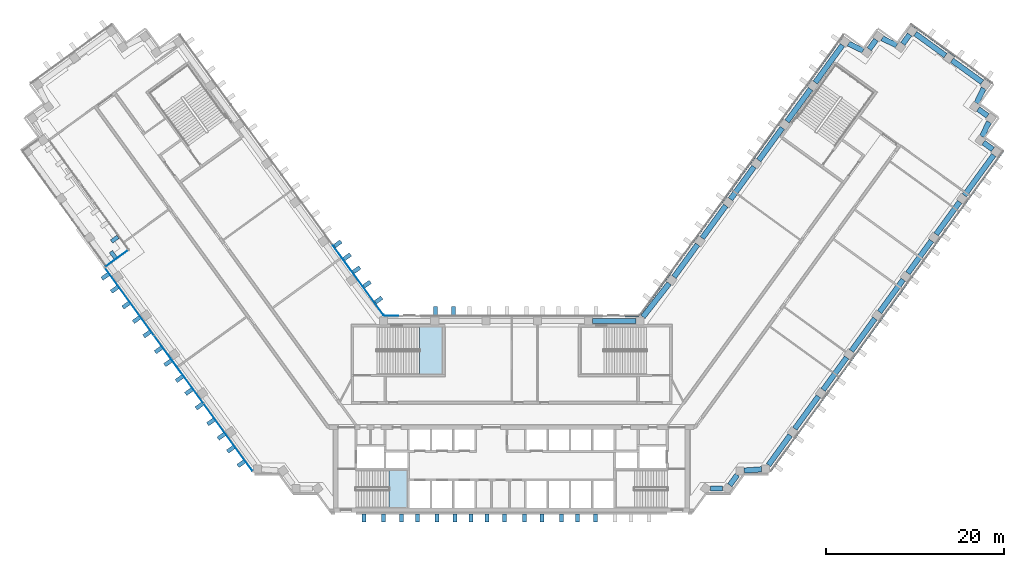
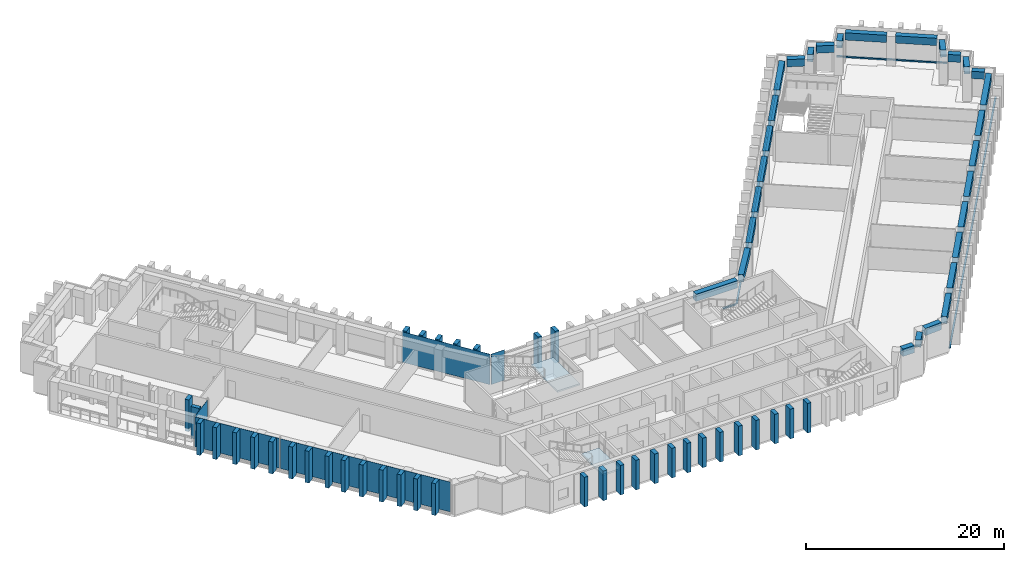
"""IFC4 building model written with IfcOpenShell, lengths in metres."""

import ifcopenshell
import ifcopenshell.guid

model = None  # the IFC model being written
_history = None  # IfcOwnerHistory: only IFC2X3 demands one
_inside = {}  # id of a spatial element -> (the spatial element, [elements in it])
_under = {}  # id of a project, library or spatial element -> (it, [spatial elements below it])
_declared = {}  # id of a project -> (the project, [libraries it declares])
_typed = {}  # id of a type object -> (the type object, [elements of that type])
_made_of = {}  # id of a material, layer set ... -> (it, [elements and type objects made of it])


def new_model(schema):
    """Start an empty IFC model of exactly this schema.

    Asked for "IFC4X3", IfcOpenShell would pick the latest addendum, in which some entities
    have other attributes; the version numbers below select the first issue.
    IFC2X3 requires an IfcOwnerHistory on every rooted entity: one is made here for all.
    """
    global model, _history
    if schema == "IFC4X3":
        model = ifcopenshell.file(schema_version=(4, 3, 0, 0))
    else:
        model = ifcopenshell.file(schema=schema)
    _inside.clear()
    _under.clear()
    _declared.clear()
    _typed.clear()
    _made_of.clear()
    _history = None
    if model.schema == "IFC2X3":
        org = make("IfcOrganization", Name="unknown")
        user = make(
            "IfcPersonAndOrganization",
            ThePerson=make("IfcPerson", FamilyName="unknown"),
            TheOrganization=org,
        )
        app = make(
            "IfcApplication",
            ApplicationDeveloper=org,
            Version="unknown",
            ApplicationFullName="unknown",
            ApplicationIdentifier="unknown",
        )
        _history = make(
            "IfcOwnerHistory",
            OwningUser=user,
            OwningApplication=app,
            ChangeAction="ADDED",
            CreationDate=0,
        )
    return model


def make(cls, **values):
    """One entity of the class cls with the attributes given. An attribute that is None is left unset."""
    return model.create_entity(
        cls, **{name: value for name, value in values.items() if value is not None}
    )


def rooted(cls, **values):
    """An entity with a GlobalId (a new one), such as an element, a storey or a relation."""
    return make(cls, GlobalId=ifcopenshell.guid.new(), OwnerHistory=_history, **values)


def si_unit(unit_type, name, prefix=None):
    """IfcSIUnit, for example si_unit("LENGTHUNIT", "METRE", prefix="MILLI")."""
    return make("IfcSIUnit", UnitType=unit_type, Prefix=prefix, Name=name)


def assignment(units):
    """IfcUnitAssignment: the units of a project."""
    return None if units is None else make("IfcUnitAssignment", Units=units)


def point(xyz):
    """IfcCartesianPoint."""
    return None if xyz is None else make("IfcCartesianPoint", Coordinates=xyz)


def direction(xyz):
    """IfcDirection."""
    return None if xyz is None else make("IfcDirection", DirectionRatios=xyz)


def frame(location, z_axis=None, x_axis=None):
    """IfcAxis2Placement3D, a coordinate frame: its origin and axes. An axis left out is left unset."""
    return make(
        "IfcAxis2Placement3D",
        Location=point(location),
        Axis=direction(z_axis),
        RefDirection=direction(x_axis),
    )


def frame_2d(location, x_axis=None):
    """IfcAxis2Placement2D, a coordinate frame in the plane: its origin and x axis."""
    return make(
        "IfcAxis2Placement2D", Location=point(location), RefDirection=direction(x_axis)
    )


def origin():
    """The frame at (0, 0, 0) with its axes left unset."""
    return frame((0.0, 0.0, 0.0))


def origin_2d():
    """The frame at (0, 0) in the plane with its x axis left unset."""
    return frame_2d((0.0, 0.0))


def place(relative_to, where):
    """IfcLocalPlacement: puts the frame where relative to a parent placement (None: the world)."""
    return make(
        "IfcLocalPlacement", PlacementRelTo=relative_to, RelativePlacement=where
    )


def context(
    kind, dimensions, precision=None, world=None, true_north=None, identifier=None
):
    """IfcGeometricRepresentationContext, for example the 3D "Model" context."""
    return make(
        "IfcGeometricRepresentationContext",
        ContextIdentifier=identifier,
        ContextType=kind,
        CoordinateSpaceDimension=dimensions,
        Precision=precision,
        WorldCoordinateSystem=world,
        TrueNorth=true_north,
    )


def subcontext(parent, identifier, kind, view, scale=None):
    """IfcGeometricRepresentationSubContext, for example "Body" below "Model"."""
    return make(
        "IfcGeometricRepresentationSubContext",
        ContextIdentifier=identifier,
        ContextType=kind,
        ParentContext=parent,
        TargetScale=scale,
        TargetView=view,
    )


def project(units=None, contexts=None):
    """IfcProject with its units and contexts."""
    return rooted(
        "IfcProject",
        Name="project",
        RepresentationContexts=contexts,
        UnitsInContext=assignment(units),
    )


def spatial(cls, under=None, at=None, **own):
    """A site, building, storey or space (cls), placed at a placement, below another one or the project."""
    s = rooted(cls, ObjectPlacement=at, **own)
    if under is not None:
        _under.setdefault(under.id(), (under, []))[1].append(s)
    return s


def polyline(points):
    """IfcPolyline through the points."""
    return make("IfcPolyline", Points=[point(p) for p in points])


def profile(cls, at=None, kind="AREA", **sizes):
    """A parametric profile (cls). Its sizes go by their IFC names, for example OverallWidth=200.0."""
    return make(cls, ProfileType=kind, Position=at, **sizes)


def rectangle(**sizes):
    """IfcRectangleProfileDef."""
    return profile("IfcRectangleProfileDef", **sizes)


def outline(outer, holes=None, kind="AREA"):
    """IfcArbitraryClosedProfileDef: a profile drawn as a closed curve; with holes, ...WithVoids."""
    if holes is None:
        return make("IfcArbitraryClosedProfileDef", ProfileType=kind, OuterCurve=outer)
    return make(
        "IfcArbitraryProfileDefWithVoids",
        ProfileType=kind,
        OuterCurve=outer,
        InnerCurves=holes,
    )


def extrude(swept, where, along, depth):
    """IfcExtrudedAreaSolid: the profile swept, set in the frame where, extruded along a direction by depth."""
    return make(
        "IfcExtrudedAreaSolid",
        SweptArea=swept,
        Position=where,
        ExtrudedDirection=direction(along),
        Depth=depth,
    )


def shape(context_of_items, identifier, shape_type, items):
    """IfcShapeRepresentation: the items that make up one representation, for example the "Body"."""
    return make(
        "IfcShapeRepresentation",
        ContextOfItems=context_of_items,
        RepresentationIdentifier=identifier,
        RepresentationType=shape_type,
        Items=items,
    )


def material(Name=None, Category=None):
    """IfcMaterial."""
    return make("IfcMaterial", Name=Name, Category=Category)


def layer(
    of_material, thickness, ventilated=None, Name=None, Category=None, Priority=None
):
    """IfcMaterialLayer: one layer of a wall or slab, of a material (None: an air gap)."""
    return make(
        "IfcMaterialLayer",
        Material=of_material,
        LayerThickness=thickness,
        IsVentilated=ventilated,
        Name=Name,
        Category=Category,
        Priority=Priority,
    )


def layer_set(layers, Name=None):
    """IfcMaterialLayerSet."""
    return make("IfcMaterialLayerSet", MaterialLayers=layers, LayerSetName=Name)


def material_profile(
    of_material, cross_section, Name=None, Category=None, Priority=None
):
    """IfcMaterialProfile: a cross section and its material."""
    return make(
        "IfcMaterialProfile",
        Name=Name,
        Material=of_material,
        Profile=cross_section,
        Priority=Priority,
        Category=Category,
    )


def profile_set(profiles, Name=None, composite=None):
    """IfcMaterialProfileSet."""
    return make(
        "IfcMaterialProfileSet",
        Name=Name,
        MaterialProfiles=profiles,
        CompositeProfile=composite,
    )


def made_of(thing, what):
    """Note that an element or type object is made of a material, layer set ...; save() writes the relation."""
    if what is not None:
        _made_of.setdefault(what.id(), (what, []))[1].append(thing)
    return thing


def type_object(cls, material=None, **own):
    """A type object (cls), such as IfcWallType, which elements share."""
    return made_of(rooted(cls, **own), material)


def element(
    cls,
    number,
    at=None,
    inside=None,
    cuts=None,
    type_object=None,
    material=None,
    context=None,
    identifier="Body",
    shape_type=None,
    held_by="IfcProductDefinitionShape",
    body=None,
    shapes=None,
    **own,
):
    """One element of the class cls, such as IfcWall. Its Tag is "e" and its number.

    at: its placement. inside: the storey or other place that contains it. cuts: it is an
    opening in that element (IfcRelVoidsElement). A single representation is given by context,
    identifier, shape_type and body (its items); several are given by shapes. held_by: the class
    of the entity that holds the representations. save() writes the other relations.
    """
    e = rooted(cls, Tag="e%d" % number, ObjectPlacement=at, **own)
    if body is not None:
        shapes = [shape(context, identifier, shape_type, body)]
    if shapes is not None:
        e.Representation = make(held_by, Representations=shapes)
    if inside is not None:
        _inside.setdefault(inside.id(), (inside, []))[1].append(e)
    if cuts is not None:
        rooted(
            "IfcRelVoidsElement", RelatingBuildingElement=cuts, RelatedOpeningElement=e
        )
    if type_object is not None:
        _typed.setdefault(type_object.id(), (type_object, []))[1].append(e)
    return made_of(e, material)


def aggregate(whole, parts):
    """IfcRelAggregates: a whole, such as a stair, and the parts it consists of."""
    return rooted("IfcRelAggregates", RelatingObject=whole, RelatedObjects=parts)


def save(model, path):
    """Write the relations noted so far, then the file.

    IfcRelAggregates (storeys below a building ...), IfcRelContainedInSpatialStructure (elements
    in a storey), IfcRelDefinesByType, IfcRelAssociatesMaterial and IfcRelDeclares: one each for
    every whole, place, type object, material and project.
    """
    for whole, parts in _under.values():
        aggregate(whole, parts)
    for where, things in _inside.values():
        rooted(
            "IfcRelContainedInSpatialStructure",
            RelatedElements=things,
            RelatingStructure=where,
        )
    for kind, things in _typed.values():
        rooted("IfcRelDefinesByType", RelatedObjects=things, RelatingType=kind)
    for what, things in _made_of.values():
        rooted("IfcRelAssociatesMaterial", RelatedObjects=things, RelatingMaterial=what)
    for by, libraries in _declared.values():
        rooted("IfcRelDeclares", RelatingContext=by, RelatedDefinitions=libraries)
    model.write(path)


model = new_model("IFC4")

# Units and contexts
model_context = context("Model", 3, precision=1e-05, world=origin(), true_north=direction((0.0, 1.0)))
body_context = subcontext(model_context, "Body", "Model", "MODEL_VIEW")
ifc_project = project(units=[si_unit("LENGTHUNIT", "METRE"), si_unit("AREAUNIT", "SQUARE_METRE"), si_unit("VOLUMEUNIT", "CUBIC_METRE"), si_unit("PLANEANGLEUNIT", "RADIAN"), si_unit("MASSUNIT", "GRAM", prefix="KILO")], contexts=[model_context])

# Site, building, storey
site_placement = place(None, origin())
site = spatial("IfcSite", under=ifc_project, at=site_placement, CompositionType="ELEMENT")
building_placement = place(site_placement, origin())
building = spatial("IfcBuilding", under=site, at=building_placement, Name="Quipu Civic Tower", CompositionType="ELEMENT")
storey_1_placement = place(building_placement, frame((0.0, 0.0, 39.0)))
storey_1 = spatial("IfcBuildingStorey", under=building, at=storey_1_placement, Name="L08", CompositionType="ELEMENT", Elevation=39.0)

# Beams
ifc_material_1 = material(Name="Concrete C50/60", Category="concrete")
ifc_material_profile_1 = material_profile(ifc_material_1, rectangle(XDim=0.60009765625, YDim=0.89990234375, at=origin_2d()), Name="RC600x900")
ifc_profile_set_1 = profile_set([ifc_material_profile_1], Name="Concrete C50/60")
beam_type = type_object("IfcBeamType", Name="Spandrel beam RC 600x900 C50/60", PredefinedType="SPANDREL", material=ifc_profile_set_1)
beam_1_placement = place(storey_1_placement, frame((22.34814453125, -8.31494140625, 3.199951171875), z_axis=(1.0, 0.0, 0.0), x_axis=(0.0, 1.0, 0.0)))
element("IfcBeam", 1, at=beam_1_placement, inside=storey_1, type_object=beam_type, Name="Spandrel beam L08 J-Eo.1 to J-Eo.2", PredefinedType="SPANDREL", context=body_context, shape_type="SweptSolid", body=[
    extrude(rectangle(XDim=0.60009765625, YDim=0.89990234375, at=origin_2d()), origin(), (0.0, 0.0, 1.0), 1.33056640625),
])
beam_2_placement = place(storey_1_placement, frame((24.499755859375, -7.951171875, 3.199951171875), z_axis=(0.588433824377, 0.808545381738, 0.0), x_axis=(-0.808545381738, 0.588433824377, 0.0)))
element("IfcBeam", 2, at=beam_2_placement, inside=storey_1, type_object=beam_type, Name="Spandrel beam L08 J-Eo.2 to J-Eo.3", PredefinedType="SPANDREL", context=body_context, shape_type="SweptSolid", body=[
    extrude(rectangle(XDim=0.60009765625, YDim=0.89990234375, at=origin_2d()), origin(), (0.0, 0.0, 1.0), 1.439697265625),
])
beam_3_placement = place(storey_1_placement, frame((26.12451171875, -6.304443359375, 3.199951171875), z_axis=(0.997365981169, 0.072533437859, 0.0), x_axis=(-0.072533437859, 0.997365981169, 0.0)))
element("IfcBeam", 3, at=beam_3_placement, inside=storey_1, type_object=beam_type, Name="Spandrel beam L08 J-Eo.3 to J-Eo.4", PredefinedType="SPANDREL", context=body_context, shape_type="SweptSolid", body=[
    extrude(rectangle(XDim=0.60009765625, YDim=0.89990234375, at=origin_2d()), origin(), (0.0, 0.0, 1.0), 1.95556640625),
])
beam_4_placement = place(storey_1_placement, frame((28.85205078125, -5.679931640625, 3.199951171875), z_axis=(0.587750565781, 0.809042194464, 0.0), x_axis=(-0.809042194464, 0.587750565781, 0.0)))
element("IfcBeam", 4, at=beam_4_placement, inside=storey_1, type_object=beam_type, Name="Spandrel beam L08 J-Eo.4 to E-OUT-01", PredefinedType="SPANDREL", context=body_context, shape_type="SweptSolid", body=[
    extrude(rectangle(XDim=0.60009765625, YDim=0.89990234375, at=origin_2d()), origin(), (0.0, 0.0, 1.0), 4.13720703125),
])
beam_5_placement = place(storey_1_placement, frame((31.812744140625, -1.604736328125, 3.199951171875), z_axis=(0.587778073121, 0.809022210299, 0.0), x_axis=(-0.809022210299, 0.587778073121, 0.0)))
element("IfcBeam", 5, at=beam_5_placement, inside=storey_1, type_object=beam_type, Name="Spandrel beam L08 E-OUT-01 to E-OUT-02", PredefinedType="SPANDREL", context=body_context, shape_type="SweptSolid", body=[
    extrude(rectangle(XDim=0.60009765625, YDim=0.89990234375, at=origin_2d()), origin(), (0.0, 0.0, 1.0), 4.5),
])
beam_6_placement = place(storey_1_placement, frame((34.98681640625, 2.76416015625, 3.199951171875), z_axis=(0.587803872688, 0.809003465539, 0.0), x_axis=(-0.809003465539, 0.587803872688, 0.0)))
element("IfcBeam", 6, at=beam_6_placement, inside=storey_1, type_object=beam_type, Name="Spandrel beam L08 E-OUT-02 to E-OUT-03", PredefinedType="SPANDREL", context=body_context, shape_type="SweptSolid", body=[
    extrude(rectangle(XDim=0.60009765625, YDim=0.89990234375, at=origin_2d()), origin(), (0.0, 0.0, 1.0), 4.499755859375),
])
for number, where, z_axis, x_axis, name in (
    (7, (38.160888671875, 7.1328125, 3.199951171875), (0.587778073121, 0.809022210299, 0.0), (-0.809022210299, 0.587778073121, 0.0), "Spandrel beam L08 E-OUT-03 to E-OUT-04"),
    (8, (41.3349609375, 11.50146484375, 3.199951171875), (0.587778073121, 0.809022210299, 0.0), (-0.809022210299, 0.587778073121, 0.0), "Spandrel beam L08 E-OUT-04 to E-OUT-05"),
):
    element("IfcBeam", number, at=place(storey_1_placement, frame(where, z_axis=z_axis, x_axis=x_axis)), inside=storey_1, type_object=beam_type, Name=name, PredefinedType="SPANDREL", context=body_context, shape_type="SweptSolid", body=[
        extrude(rectangle(XDim=0.60009765625, YDim=0.89990234375, at=origin_2d()), origin(), (0.0, 0.0, 1.0), 4.5),
    ])
beam_7_placement = place(storey_1_placement, frame((44.5087890625, 15.870361328125, 3.199951171875), z_axis=(0.587803872688, 0.809003465539, 0.0), x_axis=(-0.809003465539, 0.587803872688, 0.0)))
element("IfcBeam", 9, at=beam_7_placement, inside=storey_1, type_object=beam_type, Name="Spandrel beam L08 E-OUT-05 to E-OUT-06", PredefinedType="SPANDREL", context=body_context, shape_type="SweptSolid", body=[
    extrude(rectangle(XDim=0.60009765625, YDim=0.89990234375, at=origin_2d()), origin(), (0.0, 0.0, 1.0), 4.499755859375),
])
beam_8_placement = place(storey_1_placement, frame((47.682861328125, 20.23876953125, 3.199951171875), z_axis=(0.587778073121, 0.809022210299, 0.0), x_axis=(-0.809022210299, 0.587778073121, 0.0)))
element("IfcBeam", 10, at=beam_8_placement, inside=storey_1, type_object=beam_type, Name="Spandrel beam L08 E-OUT-06 to E-OUT-07", PredefinedType="SPANDREL", context=body_context, shape_type="SweptSolid", body=[
    extrude(rectangle(XDim=0.60009765625, YDim=0.89990234375, at=origin_2d()), origin(), (0.0, 0.0, 1.0), 4.5),
])
beam_9_placement = place(storey_1_placement, frame((50.85693359375, 24.607666015625, 3.199951171875), z_axis=(0.587772657145, 0.809026145135, 0.0), x_axis=(-0.809026145135, 0.587772657145, 0.0)))
element("IfcBeam", 11, at=beam_9_placement, inside=storey_1, type_object=beam_type, Name="Spandrel beam L08 E-OUT-07 to T-Eo.0-E50", PredefinedType="SPANDREL", context=body_context, shape_type="SweptSolid", body=[
    extrude(rectangle(XDim=0.60009765625, YDim=0.89990234375, at=origin_2d()), origin(), (0.0, 0.0, 1.0), 5.603271484375),
])
beam_10_placement = place(storey_1_placement, frame((54.051025390625, 29.769775390625, 3.199951171875), z_axis=(-0.808549242423, 0.588428519514, 0.0), x_axis=(-0.588428519514, -0.808549242423, 0.0)))
element("IfcBeam", 12, at=beam_10_placement, inside=storey_1, type_object=beam_type, Name="Spandrel beam L08 T-Eo.0-E50 to T-Eo.1-E50", PredefinedType="SPANDREL", context=body_context, shape_type="SweptSolid", body=[
    extrude(rectangle(XDim=0.60009765625, YDim=0.89990234375, at=origin_2d()), origin(), (0.0, 0.0, 1.0), 1.2998046875),
])
beam_11_placement = place(storey_1_placement, frame((52.83349609375, 31.21240234375, 3.199951171875), z_axis=(0.431446050156, 0.902138739776, 0.0), x_axis=(-0.902138739776, 0.431446050156, 0.0)))
element("IfcBeam", 13, at=beam_11_placement, inside=storey_1, type_object=beam_type, Name="Spandrel beam L08 T-Eo.1-E50 to T-Eo.2-E50", PredefinedType="SPANDREL", context=body_context, shape_type="SweptSolid", body=[
    extrude(rectangle(XDim=0.60009765625, YDim=0.89990234375, at=origin_2d()), origin(), (0.0, 0.0, 1.0), 1.828857421875),
])
beam_12_placement = place(storey_1_placement, frame((53.4560546875, 33.539794921875, 3.199951171875), z_axis=(-0.808509099783, 0.588483674853, 0.0), x_axis=(-0.588483674853, -0.808509099783, 0.0)))
element("IfcBeam", 14, at=beam_12_placement, inside=storey_1, type_object=beam_type, Name="Spandrel beam L08 T-Eo.2-E50 to T-Eo.3-E50", PredefinedType="SPANDREL", context=body_context, shape_type="SweptSolid", body=[
    extrude(rectangle(XDim=0.60009765625, YDim=0.89990234375, at=origin_2d()), origin(), (0.0, 0.0, 1.0), 1.302734375),
])
beam_13_placement = place(storey_1_placement, frame((52.23583984375, 34.984375, 3.199951171875), z_axis=(0.430166558323, 0.902749540072, 0.0), x_axis=(-0.902749540072, 0.430166558323, 0.0)))
element("IfcBeam", 15, at=beam_13_placement, inside=storey_1, type_object=beam_type, Name="Spandrel beam L08 T-Eo.3-E50 to T-Eo.4-E50", PredefinedType="SPANDREL", context=body_context, shape_type="SweptSolid", body=[
    extrude(rectangle(XDim=0.60009765625, YDim=0.89990234375, at=origin_2d()), origin(), (0.0, 0.0, 1.0), 1.830322265625),
])
beam_14_placement = place(storey_1_placement, frame((52.85595703125, 37.314453125, 3.199951171875), z_axis=(-0.808959834407, 0.587863918196, 0.0), x_axis=(-0.587863918196, -0.808959834407, 0.0)))
element("IfcBeam", 16, at=beam_14_placement, inside=storey_1, type_object=beam_type, Name="Spandrel beam L08 T-Eo.4-E50 to TIP-E-01-E50", PredefinedType="SPANDREL", context=body_context, shape_type="SweptSolid", body=[
    extrude(rectangle(XDim=0.60009765625, YDim=0.89990234375, at=origin_2d()), origin(), (0.0, 0.0, 1.0), 4.1982421875),
])
beam_15_placement = place(storey_1_placement, frame((48.731689453125, 40.3115234375, 3.199951171875), z_axis=(-0.808969789945, 0.58785021813, 0.0), x_axis=(-0.58785021813, -0.808969789945, 0.0)))
element("IfcBeam", 17, at=beam_15_placement, inside=storey_1, type_object=beam_type, Name="Spandrel beam L08 TIP-E-01-E50 to T-Ei.0-E50", PredefinedType="SPANDREL", context=body_context, shape_type="SweptSolid", body=[
    extrude(rectangle(XDim=0.60009765625, YDim=0.89990234375, at=origin_2d()), origin(), (0.0, 0.0, 1.0), 4.199951171875),
])
beam_16_placement = place(storey_1_placement, frame((44.705322265625, 42.68115234375, 3.199951171875), z_axis=(-0.588383572423, -0.808581951136, 0.0), x_axis=(0.808581951136, -0.588383572423, 0.0)))
element("IfcBeam", 18, at=beam_16_placement, inside=storey_1, type_object=beam_type, Name="Spandrel beam L08 T-Ei.0-E50 to T-Ei.1-E50", PredefinedType="SPANDREL", context=body_context, shape_type="SweptSolid", body=[
    extrude(rectangle(XDim=0.60009765625, YDim=0.89990234375, at=origin_2d()), origin(), (0.0, 0.0, 1.0), 1.3017578125),
])
beam_17_placement = place(storey_1_placement, frame((43.261474609375, 41.4619140625, 3.199951171875), z_axis=(-0.902613270121, 0.430452418511, 0.0), x_axis=(-0.430452418511, -0.902613270121, 0.0)))
element("IfcBeam", 19, at=beam_17_placement, inside=storey_1, type_object=beam_type, Name="Spandrel beam L08 T-Ei.1-E50 to T-Ei.2-E50", PredefinedType="SPANDREL", context=body_context, shape_type="SweptSolid", body=[
    extrude(rectangle(XDim=0.60009765625, YDim=0.89990234375, at=origin_2d()), origin(), (0.0, 0.0, 1.0), 1.826416015625),
])
beam_18_placement = place(storey_1_placement, frame((40.935302734375, 42.0810546875, 3.199951171875), z_axis=(-0.588461937499, -0.808524921146, 0.0), x_axis=(0.808524921146, -0.588461937499, 0.0)))
element("IfcBeam", 20, at=beam_18_placement, inside=storey_1, type_object=beam_type, Name="Spandrel beam L08 T-Ei.2-E50 to T-Ei.3-E50", PredefinedType="SPANDREL", context=body_context, shape_type="SweptSolid", body=[
    extrude(rectangle(XDim=0.60009765625, YDim=0.89990234375, at=origin_2d()), origin(), (0.0, 0.0, 1.0), 1.30029296875),
])
beam_19_placement = place(storey_1_placement, frame((39.492431640625, 40.863037109375, 3.199951171875), z_axis=(-0.90245397739, 0.430786279601, 0.0), x_axis=(-0.430786279601, -0.90245397739, 0.0)))
element("IfcBeam", 21, at=beam_19_placement, inside=storey_1, type_object=beam_type, Name="Spandrel beam L08 T-Ei.3-E50 to T-Ei.4-E50", PredefinedType="SPANDREL", context=body_context, shape_type="SweptSolid", body=[
    extrude(rectangle(XDim=0.60009765625, YDim=0.89990234375, at=origin_2d()), origin(), (0.0, 0.0, 1.0), 1.83349609375),
])
beam_20_placement = place(storey_1_placement, frame((37.160400390625, 41.48583984375, 3.199951171875), z_axis=(-0.587732861365, -0.80905505602, 0.0), x_axis=(0.80905505602, -0.587732861365, 0.0)))
element("IfcBeam", 22, at=beam_20_placement, inside=storey_1, type_object=beam_type, Name="Spandrel beam L08 T-Ei.4-E50 to E-IN-06", PredefinedType="SPANDREL", context=body_context, shape_type="SweptSolid", body=[
    extrude(rectangle(XDim=0.60009765625, YDim=0.89990234375, at=origin_2d()), origin(), (0.0, 0.0, 1.0), 5.194580078125),
])
for number, where, z_axis, x_axis, name in (
    (23, (33.578369140625, 36.55517578125, 3.199951171875), (-0.587716763865, -0.809066749701, 0.0), (0.809066749701, -0.587716763865, 0.0), "Spandrel beam L08 E-IN-06 to E-IN-05"),
    (24, (30.404541015625, 32.186279296875, 3.199951171875), (-0.587742561851, -0.809048009076, 0.0), (0.809048009076, -0.587742561851, 0.0), "Spandrel beam L08 E-IN-05 to E-IN-04"),
    (25, (27.230712890625, 27.8173828125, 3.199951171875), (-0.587778073121, -0.809022210299, 0.0), (0.809022210299, -0.587778073121, 0.0), "Spandrel beam L08 E-IN-04 to E-IN-03"),
    (26, (24.056884765625, 23.448486328125, 3.199951171875), (-0.587778073121, -0.809022210299, 0.0), (0.809022210299, -0.587778073121, 0.0), "Spandrel beam L08 E-IN-03 to E-IN-02"),
    (27, (20.8828125, 19.079833984375, 3.199951171875), (-0.587716763865, -0.809066749701, 0.0), (0.809066749701, -0.587716763865, 0.0), "Spandrel beam L08 E-IN-02 to E-IN-01"),
):
    element("IfcBeam", number, at=place(storey_1_placement, frame(where, z_axis=z_axis, x_axis=x_axis)), inside=storey_1, type_object=beam_type, Name=name, PredefinedType="SPANDREL", context=body_context, shape_type="SweptSolid", body=[
        extrude(rectangle(XDim=0.60009765625, YDim=0.89990234375, at=origin_2d()), origin(), (0.0, 0.0, 1.0), 4.5),
    ])
beam_21_placement = place(storey_1_placement, frame((17.6962890625, 14.72021484375, 3.199951171875), z_axis=(-0.616123961998, -0.787649200756, 0.0), x_axis=(0.787649200756, -0.616123961998, 0.0)))
element("IfcBeam", 28, at=beam_21_placement, inside=storey_1, type_object=beam_type, Name="Spandrel beam L08 E-IN-01 to J-Ei.0", PredefinedType="SPANDREL", context=body_context, shape_type="SweptSolid", body=[
    extrude(rectangle(XDim=0.60009765625, YDim=0.89990234375, at=origin_2d()), origin(), (0.0, 0.0, 1.0), 4.78662109375),
])
beam_22_placement = place(storey_1_placement, frame((13.9453125, 10.5, 3.199951171875), z_axis=(-1.0, 0.0, 0.0), x_axis=(0.0, -1.0, 0.0)))
element("IfcBeam", 29, at=beam_22_placement, inside=storey_1, type_object=beam_type, Name="Spandrel beam L08 J-Ei.0 to FRONT-01", PredefinedType="SPANDREL", context=body_context, shape_type="SweptSolid", body=[
    extrude(rectangle(XDim=0.60009765625, YDim=0.89990234375, at=origin_2d()), origin(), (0.0, 0.0, 1.0), 4.858154296875),
])

# Storey
storey_2_placement = place(building_placement, frame((0.0, 0.0, 35.0)))
storey_2 = spatial("IfcBuildingStorey", under=building, at=storey_2_placement, Name="L07", CompositionType="ELEMENT", Elevation=35.0)

# Curtain wall, members
ifc_material_2 = material(Name="Insulated glass unit", Category="glass")
curtain_wall_type = type_object("IfcCurtainWallType", Name="Office curtain wall CW1", PredefinedType="NOTDEFINED", material=ifc_material_2)
curtain_wall_1_placement = place(storey_2_placement, origin())
curtain_wall_1 = element("IfcCurtainWall", 30, at=curtain_wall_1_placement, inside=storey_2, type_object=curtain_wall_type, Name="Office curtain wall CW1 L06 run 16", PredefinedType="NOTDEFINED")
ifc_material_3 = material(Name="Anodised aluminium", Category="aluminium")
ifc_material_profile_2 = material_profile(ifc_material_3, rectangle(XDim=0.199951171875, YDim=0.159912109375, at=origin_2d()), Name="RECT 200x160")
ifc_profile_set_2 = profile_set([ifc_material_profile_2], Name="Anodised aluminium")
member_type = type_object("IfcMemberType", Name="Transom CW1", PredefinedType="USERDEFINED", material=ifc_profile_set_2)
member_1_placement = place(storey_1_placement, frame((29.10302734375, -6.35546875, 0.080078125), z_axis=(0.587779179422, 0.809021406539, 0.0), x_axis=(-0.809021406539, 0.587779179422, 0.0)))
member_1 = element("IfcMember", 31, at=member_1_placement, inside=storey_1, type_object=member_type, Name="CW1 transom 1.3", ObjectType="TRANSOM", PredefinedType="USERDEFINED", context=body_context, shape_type="SweptSolid", body=[
    extrude(rectangle(XDim=0.199951171875, YDim=0.159912109375, at=origin_2d()), origin(), (0.0, 0.0, 1.0), 11.02294921875),
])
member_2_placement = place(storey_1_placement, frame((35.62890625, 2.626953125, 0.080078125), z_axis=(0.587795037589, 0.80900988485, 0.0), x_axis=(-0.80900988485, 0.587795037589, 0.0)))
member_2 = element("IfcMember", 32, at=member_2_placement, inside=storey_1, type_object=member_type, Name="CW1 transom 2.3", ObjectType="TRANSOM", PredefinedType="USERDEFINED", context=body_context, shape_type="SweptSolid", body=[
    extrude(rectangle(XDim=0.199951171875, YDim=0.159912109375, at=origin_2d()), origin(), (0.0, 0.0, 1.0), 11.062744140625),
])
member_3_placement = place(storey_1_placement, frame((42.178466796875, 11.6416015625, 0.080078125), z_axis=(0.587795037589, 0.80900988485, 0.0), x_axis=(-0.80900988485, 0.587795037589, 0.0)))
member_3 = element("IfcMember", 33, at=member_3_placement, inside=storey_1, type_object=member_type, Name="CW1 transom 3.3", ObjectType="TRANSOM", PredefinedType="USERDEFINED", context=body_context, shape_type="SweptSolid", body=[
    extrude(rectangle(XDim=0.199951171875, YDim=0.159912109375, at=origin_2d()), origin(), (0.0, 0.0, 1.0), 11.062744140625),
])
member_4_placement = place(storey_1_placement, frame((48.72802734375, 20.65625, 0.080078125), z_axis=(0.587779179422, 0.809021406539, 0.0), x_axis=(-0.809021406539, 0.587779179422, 0.0)))
member_4 = element("IfcMember", 34, at=member_4_placement, inside=storey_1, type_object=member_type, Name="CW1 transom 4.3", ObjectType="TRANSOM", PredefinedType="USERDEFINED", context=body_context, shape_type="SweptSolid", body=[
    extrude(rectangle(XDim=0.199951171875, YDim=0.159912109375, at=origin_2d()), origin(), (0.0, 0.0, 1.0), 11.02294921875),
])
aggregate(curtain_wall_1, [member_1, member_2, member_3, member_4])

# Curtain wall, member
curtain_wall_2_placement = place(storey_2_placement, origin())
curtain_wall_2 = element("IfcCurtainWall", 35, at=curtain_wall_2_placement, inside=storey_2, type_object=curtain_wall_type, Name="Office curtain wall CW1 L06 run 21", PredefinedType="NOTDEFINED")
member_5_placement = place(storey_1_placement, frame((53.994873046875, 37.228515625, 0.080078125), z_axis=(-0.809032792449, 0.587763507495, 0.0), x_axis=(-0.587763507495, -0.809032792449, 0.0)))
member_5 = element("IfcMember", 36, at=member_5_placement, inside=storey_1, type_object=member_type, Name="CW1 transom 1.3", ObjectType="TRANSOM", PredefinedType="USERDEFINED", context=body_context, shape_type="SweptSolid", body=[
    extrude(rectangle(XDim=0.199951171875, YDim=0.159912109375, at=origin_2d()), origin(), (0.0, 0.0, 1.0), 11.239990234375),
])
aggregate(curtain_wall_2, [member_5])

# Curtain wall, members
curtain_wall_3_placement = place(storey_2_placement, origin())
curtain_wall_3 = element("IfcCurtainWall", 37, at=curtain_wall_3_placement, inside=storey_2, type_object=curtain_wall_type, Name="Office curtain wall CW1 L06 run 26", PredefinedType="NOTDEFINED")
member_6_placement = place(storey_1_placement, frame((37.246826171875, 42.622802734375, 0.080078125), z_axis=(-0.587775627857, -0.809023986849, 0.0), x_axis=(0.809023986849, -0.587775627857, 0.0)))
member_6 = element("IfcMember", 38, at=member_6_placement, inside=storey_1, type_object=member_type, Name="CW1 transom 1.3", ObjectType="TRANSOM", PredefinedType="USERDEFINED", context=body_context, shape_type="SweptSolid", body=[
    extrude(rectangle(XDim=0.199951171875, YDim=0.159912109375, at=origin_2d()), origin(), (0.0, 0.0, 1.0), 9.64111328125),
])
member_7_placement = place(storey_1_placement, frame((31.532958984375, 34.75830078125, 0.080078125), z_axis=(-0.58778177227, -0.809019522748, 0.0), x_axis=(0.809019522748, -0.58778177227, 0.0)))
member_7 = element("IfcMember", 39, at=member_7_placement, inside=storey_1, type_object=member_type, Name="CW1 transom 2.3", ObjectType="TRANSOM", PredefinedType="USERDEFINED", context=body_context, shape_type="SweptSolid", body=[
    extrude(rectangle(XDim=0.199951171875, YDim=0.159912109375, at=origin_2d()), origin(), (0.0, 0.0, 1.0), 9.68115234375),
])
member_8_placement = place(storey_1_placement, frame((25.795654296875, 26.861328125, 0.080078125), z_axis=(-0.587793764301, -0.80901080997, 0.0), x_axis=(0.80901080997, -0.587793764301, 0.0)))
member_8 = element("IfcMember", 40, at=member_8_placement, inside=storey_1, type_object=member_type, Name="CW1 transom 3.3", ObjectType="TRANSOM", PredefinedType="USERDEFINED", context=body_context, shape_type="SweptSolid", body=[
    extrude(rectangle(XDim=0.199951171875, YDim=0.159912109375, at=origin_2d()), origin(), (0.0, 0.0, 1.0), 9.680908203125),
])
member_9_placement = place(storey_1_placement, frame((20.05810546875, 18.964599609375, 0.080078125), z_axis=(-0.58779220199, -0.809011945079, 0.0), x_axis=(0.809011945079, -0.58779220199, 0.0)))
member_9 = element("IfcMember", 41, at=member_9_placement, inside=storey_1, type_object=member_type, Name="CW1 transom 4.3", ObjectType="TRANSOM", PredefinedType="USERDEFINED", context=body_context, shape_type="SweptSolid", body=[
    extrude(rectangle(XDim=0.199951171875, YDim=0.159912109375, at=origin_2d()), origin(), (0.0, 0.0, 1.0), 9.64111328125),
])
aggregate(curtain_wall_3, [member_6, member_7, member_8, member_9])

# Curtain wall, member
curtain_wall_4_placement = place(storey_2_placement, origin())
curtain_wall_4 = element("IfcCurtainWall", 42, at=curtain_wall_4_placement, inside=storey_2, type_object=curtain_wall_type, Name="Office curtain wall CW1 L06 run 27", PredefinedType="NOTDEFINED")
member_10_placement = place(storey_1_placement, frame((14.26416015625, 11.10009765625, 0.080078125), z_axis=(-1.0, 0.0, 0.0), x_axis=(0.0, -1.0, 0.0)))
member_10 = element("IfcMember", 43, at=member_10_placement, inside=storey_1, type_object=member_type, Name="CW1 transom 1.3", ObjectType="TRANSOM", PredefinedType="USERDEFINED", context=body_context, shape_type="SweptSolid", body=[
    extrude(rectangle(XDim=0.199951171875, YDim=0.159912109375, at=origin_2d()), origin(), (0.0, 0.0, 1.0), 1.529052734375),
])
aggregate(curtain_wall_4, [member_10])

# Curtain wall, plate
curtain_wall_5_placement = place(storey_2_placement, origin())
curtain_wall_5 = element("IfcCurtainWall", 44, at=curtain_wall_5_placement, inside=storey_2, type_object=curtain_wall_type, Name="Office curtain wall CW1 L06 run 31", PredefinedType="NOTDEFINED")
ifc_material_4 = material(Name="Insulated glass unit", Category="glass")
ifc_layer_1 = layer(ifc_material_4, 0.028076171875)
ifc_layer_set_1 = layer_set([ifc_layer_1], Name="Insulated glass unit")
plate_type_1 = type_object("IfcPlateType", Name="Glass panel CW1", PredefinedType="CURTAIN_PANEL", material=ifc_layer_set_1)
plate_1_placement = place(storey_1_placement, frame((-13.49951171875, 11.10009765625, 0.16015625), z_axis=(0.0, 0.0, 1.0), x_axis=(-1.0, 0.0, 0.0)))
plate_1 = element("IfcPlate", 45, at=plate_1_placement, inside=storey_1, type_object=plate_type_1, Name="CW1 panel 1.3", PredefinedType="CURTAIN_PANEL", context=body_context, shape_type="SweptSolid", body=[
    extrude(rectangle(XDim=1.529296875, YDim=0.028076171875, at=origin_2d()), origin(), (0.0, 0.0, 1.0), 3.760009765625),
])
aggregate(curtain_wall_5, [plate_1])

curtain_wall_6_placement = place(storey_2_placement, origin())
curtain_wall_6 = element("IfcCurtainWall", 46, at=curtain_wall_6_placement, inside=storey_2, type_object=curtain_wall_type, Name="Office curtain wall CW1 L06 run 32", PredefinedType="NOTDEFINED")
plate_2_placement = place(storey_1_placement, frame((-17.224609375, 15.064697265625, 0.16015625), z_axis=(0.0, 0.0, 1.0), x_axis=(-0.587785887566, 0.809016532822, 0.0)))
plate_2 = element("IfcPlate", 47, at=plate_2_placement, inside=storey_1, type_object=plate_type_1, Name="CW1 panel 1.3", PredefinedType="CURTAIN_PANEL", context=body_context, shape_type="SweptSolid", body=[
    extrude(rectangle(XDim=9.64111328125, YDim=0.028076171875, at=origin_2d()), origin(), (0.0, 0.0, 1.0), 3.760009765625),
])
aggregate(curtain_wall_6, [plate_2])

curtain_wall_7_placement = place(storey_1_placement, origin())
curtain_wall_7 = element("IfcCurtainWall", 48, at=curtain_wall_7_placement, inside=storey_1, type_object=curtain_wall_type, Name="Office curtain wall CW1 L08 run 5", PredefinedType="NOTDEFINED")
plate_3_placement = place(storey_1_placement, frame((-44.3798828125, 17.514892578125, 0.240234375), z_axis=(0.0, 0.0, 1.0), x_axis=(-0.809011533649, -0.587792768264, 0.0)))
plate_3 = element("IfcPlate", 49, at=plate_3_placement, type_object=plate_type_1, Name="CW1 panel 1.1", PredefinedType="CURTAIN_PANEL", context=body_context, shape_type="SweptSolid", body=[
    extrude(rectangle(XDim=3.182861328125, YDim=0.028076171875, at=origin_2d()), origin(), (0.0, 0.0, 1.0), 3.679931640625),
])
aggregate(curtain_wall_7, [plate_3])

# Curtain wall, plates
curtain_wall_8_placement = place(storey_1_placement, origin())
curtain_wall_8 = element("IfcCurtainWall", 50, at=curtain_wall_8_placement, inside=storey_1, type_object=curtain_wall_type, Name="Office curtain wall CW1 L08 run 6", PredefinedType="NOTDEFINED")
plate_4_placement = place(storey_1_placement, frame((-42.94091796875, 12.69091796875, 0.240234375), z_axis=(0.0, 0.0, 1.0), x_axis=(0.587786635813, -0.809015989187, 0.0)))
plate_4 = element("IfcPlate", 51, at=plate_4_placement, type_object=plate_type_1, Name="CW1 panel 1.1", PredefinedType="CURTAIN_PANEL", context=body_context, shape_type="SweptSolid", body=[
    extrude(rectangle(XDim=9.3369140625, YDim=0.028076171875, at=origin_2d()), origin(), (0.0, 0.0, 1.0), 3.679931640625),
])
plate_5_placement = place(storey_1_placement, frame((-37.39404296875, 5.05615234375, 0.240234375), z_axis=(0.0, 0.0, 1.0), x_axis=(0.587786635813, -0.809015989187, 0.0)))
plate_5 = element("IfcPlate", 52, at=plate_5_placement, type_object=plate_type_1, Name="CW1 panel 2.1", PredefinedType="CURTAIN_PANEL", context=body_context, shape_type="SweptSolid", body=[
    extrude(rectangle(XDim=9.376953125, YDim=0.028076171875, at=origin_2d()), origin(), (0.0, 0.0, 1.0), 3.679931640625),
])
plate_6_placement = place(storey_1_placement, frame((-31.846923828125, -2.578369140625, 0.240234375), z_axis=(0.0, 0.0, 1.0), x_axis=(0.587786635813, -0.809015989187, 0.0)))
plate_6 = element("IfcPlate", 53, at=plate_6_placement, type_object=plate_type_1, Name="CW1 panel 3.1", PredefinedType="CURTAIN_PANEL", context=body_context, shape_type="SweptSolid", body=[
    extrude(rectangle(XDim=9.3369140625, YDim=0.028076171875, at=origin_2d()), origin(), (0.0, 0.0, 1.0), 3.679931640625),
])
aggregate(curtain_wall_8, [plate_4, plate_5, plate_6])

# Plates
ifc_material_5 = material(Name="Precast concrete C40/50", Category="concrete")
plate_type_2 = type_object("IfcPlateType", Name="Precast fin F1", PredefinedType="SHEET", material=ifc_material_5)
for number, where, z_axis, x_axis, name in (
    (54, (-16.574951171875, -11.637939453125, 0.0), (0.0, 0.0, 1.0), (1.0, 0.0, 0.0), "Precast fin F1 L08.P07.1"),
    (55, (-14.375, -11.637939453125, 0.0), (0.0, 0.0, 1.0), (1.0, 0.0, 0.0), "Precast fin F1 L08.P07.2"),
    (56, (-12.375, -11.637939453125, 0.0), (0.0, 0.0, 1.0), (1.0, 0.0, 0.0), "Precast fin F1 L08.P07.3"),
    (57, (-10.574951171875, -11.637939453125, 0.0), (0.0, 0.0, 1.0), (1.0, 0.0, 0.0), "Precast fin F1 L08.P07.4"),
    (58, (-8.375, -11.637939453125, 0.0), (0.0, 0.0, 1.0), (1.0, 0.0, 0.0), "Precast fin F1 L08.P07.5"),
    (59, (-6.375, -11.637939453125, 0.0), (0.0, 0.0, 1.0), (1.0, 0.0, 0.0), "Precast fin F1 L08.P07.6"),
    (60, (-4.574951171875, -11.637939453125, 0.0), (0.0, 0.0, 1.0), (1.0, 0.0, 0.0), "Precast fin F1 L08.P07.7"),
    (61, (-2.77490234375, -11.637939453125, 0.0), (0.0, 0.0, 1.0), (1.0, 0.0, 0.0), "Precast fin F1 L08.P07.8"),
    (62, (-0.77490234375, -11.637939453125, 0.0), (0.0, 0.0, 1.0), (1.0, 0.0, 0.0), "Precast fin F1 L08.P07.9"),
    (63, (1.425048828125, -11.637939453125, 0.0), (0.0, 0.0, 1.0), (1.0, 0.0, 0.0), "Precast fin F1 L08.P07.10"),
    (64, (3.425048828125, -11.637939453125, 0.0), (0.0, 0.0, 1.0), (1.0, 0.0, 0.0), "Precast fin F1 L08.P07.11"),
    (65, (5.625, -11.637939453125, 0.0), (0.0, 0.0, 1.0), (1.0, 0.0, 0.0), "Precast fin F1 L08.P07.12"),
    (66, (7.425048828125, -11.637939453125, 0.0), (0.0, 0.0, 1.0), (1.0, 0.0, 0.0), "Precast fin F1 L08.P07.13"),
    (67, (9.425048828125, -11.637939453125, 0.0), (0.0, 0.0, 1.0), (1.0, 0.0, 0.0), "Precast fin F1 L08.P07.14"),
):
    element("IfcPlate", number, at=place(storey_1_placement, frame(where, z_axis=z_axis, x_axis=x_axis)), inside=storey_1, type_object=plate_type_2, Name=name, PredefinedType="SHEET", context=body_context, shape_type="SweptSolid", body=[
        extrude(rectangle(XDim=0.449951171875, YDim=0.89990234375, at=origin_2d()), origin(), (0.0, 0.0, 1.0), 3.64990234375),
    ])
for number, where, z_axis, x_axis, name in (
    (68, (-6.52490234375, 11.64990234375, 0.080078125), (0.0, 0.0, 1.0), (-1.0, 0.0, 0.0), "Precast fin F1 L08.P26.9"),
    (69, (-8.52490234375, 11.64990234375, 0.080078125), (0.0, 0.0, 1.0), (-1.0, 0.0, 0.0), "Precast fin F1 L08.P26.10"),
    (70, (-14.942138671875, 12.8583984375, 0.080078125), (0.0, 0.0, 1.0), (-0.587784944053, 0.809017218324, 0.0), "Precast fin F1 L08.P29.1"),
    (71, (-16.235107421875, 14.638427734375, 0.080078125), (0.0, 0.0, 1.0), (-0.587784944053, 0.809017218324, 0.0), "Precast fin F1 L08.P29.2"),
    (72, (-17.41064453125, 16.25634765625, 0.080078125), (0.0, 0.0, 1.0), (-0.587784944053, 0.809017218324, 0.0), "Precast fin F1 L08.P29.3"),
    (73, (-18.46875, 17.712646484375, 0.080078125), (0.0, 0.0, 1.0), (-0.587784944053, 0.809017218324, 0.0), "Precast fin F1 L08.P29.4"),
    (74, (-19.52685546875, 19.1689453125, 0.080078125), (0.0, 0.0, 1.0), (-0.587784944053, 0.809017218324, 0.0), "Precast fin F1 L08.P29.5"),
    (75, (-44.574462890625, 19.69091796875, 0.080078125), (0.0, 0.0, 1.0), (0.587783675566, -0.809018139931, 0.0), "Precast fin F1 L08.4.3"),
    (76, (-44.746337890625, 17.928466796875, 0.080078125), (0.0, 0.0, 1.0), (-0.809011533649, -0.587792768264, 0.0), "Precast fin F1 L08.5.1"),
    (77, (-45.66259765625, 15.50146484375, 0.080078125), (0.0, 0.0, 1.0), (0.587786871814, -0.809015817721, 0.0), "Precast fin F1 L08.6.1"),
    (78, (-44.6044921875, 14.045166015625, 0.080078125), (0.0, 0.0, 1.0), (0.587786871814, -0.809015817721, 0.0), "Precast fin F1 L08.6.2"),
    (79, (-43.3115234375, 12.265380859375, 0.080078125), (0.0, 0.0, 1.0), (0.587786871814, -0.809015817721, 0.0), "Precast fin F1 L08.6.3"),
    (80, (-42.135986328125, 10.647216796875, 0.080078125), (0.0, 0.0, 1.0), (0.587786871814, -0.809015817721, 0.0), "Precast fin F1 L08.6.4"),
    (81, (-40.96044921875, 9.029296875, 0.080078125), (0.0, 0.0, 1.0), (0.587786871814, -0.809015817721, 0.0), "Precast fin F1 L08.6.5"),
    (82, (-39.667236328125, 7.24951171875, 0.080078125), (0.0, 0.0, 1.0), (0.587786871814, -0.809015817721, 0.0), "Precast fin F1 L08.6.6"),
    (83, (-38.609130859375, 5.793212890625, 0.080078125), (0.0, 0.0, 1.0), (0.587786871814, -0.809015817721, 0.0), "Precast fin F1 L08.6.7"),
    (84, (-37.316162109375, 4.013427734375, 0.080078125), (0.0, 0.0, 1.0), (0.587786871814, -0.809015817721, 0.0), "Precast fin F1 L08.6.8"),
    (85, (-36.258056640625, 2.55712890625, 0.080078125), (0.0, 0.0, 1.0), (0.587786871814, -0.809015817721, 0.0), "Precast fin F1 L08.6.9"),
    (86, (-35.08251953125, 0.93896484375, 0.080078125), (0.0, 0.0, 1.0), (0.587786871814, -0.809015817721, 0.0), "Precast fin F1 L08.6.10"),
    (87, (-33.789306640625, -0.8408203125, 0.080078125), (0.0, 0.0, 1.0), (0.587786871814, -0.809015817721, 0.0), "Precast fin F1 L08.6.11"),
    (88, (-32.61376953125, -2.458740234375, 0.080078125), (0.0, 0.0, 1.0), (0.587786871814, -0.809015817721, 0.0), "Precast fin F1 L08.6.12"),
    (89, (-31.5556640625, -3.9150390625, 0.080078125), (0.0, 0.0, 1.0), (0.587786871814, -0.809015817721, 0.0), "Precast fin F1 L08.6.13"),
    (90, (-30.380126953125, -5.532958984375, 0.080078125), (0.0, 0.0, 1.0), (0.587786871814, -0.809015817721, 0.0), "Precast fin F1 L08.6.14"),
):
    element("IfcPlate", number, at=place(storey_1_placement, frame(where, z_axis=z_axis, x_axis=x_axis)), inside=storey_1, type_object=plate_type_2, Name=name, PredefinedType="SHEET", context=body_context, shape_type="SweptSolid", body=[
        extrude(rectangle(XDim=0.449951171875, YDim=0.89990234375, at=origin_2d()), origin(), (0.0, 0.0, 1.0), 3.919921875),
    ])

# Stair, slab
ifc_material_6 = material(Name="Concrete C40/50", Category="concrete")
stair_type_1 = type_object("IfcStairType", Name="Half turn stair 2000", PredefinedType="HALF_TURN_STAIR", material=ifc_material_6)
stair_1_placement = place(storey_1_placement, origin())
stair_1 = element("IfcStair", 91, at=stair_1_placement, inside=storey_1, type_object=stair_type_1, Name="Exit stair 1", PredefinedType="HALF_TURN_STAIR")
ifc_material_7 = material(Name="Concrete C40/50", Category="concrete")
ifc_layer_2 = layer(ifc_material_7, 0.199951171875)
ifc_layer_set_2 = layer_set([ifc_layer_2], Name="Concrete C40/50")
slab_type = type_object("IfcSlabType", Name="Stair landing 200", PredefinedType="LANDING", material=ifc_layer_set_2)
slab_1_placement = place(storey_1_placement, frame((0.0, 0.0, 1.800048828125)))
slab_1 = element("IfcSlab", 92, at=slab_1_placement, type_object=slab_type, Name="ST-1 landing 1", PredefinedType="LANDING", context=body_context, shape_type="SweptSolid", body=[
    extrude(outline(polyline([(-13.780029296875, -10.5), (-11.699951171875, -10.5), (-11.699951171875, -6.25), (-13.780029296875, -6.25), (-13.780029296875, -10.5)])), origin(), (0.0, 0.0, 1.0), 0.199951171875),
])
aggregate(stair_1, [slab_1])

ifc_material_8 = material(Name="Concrete C40/50", Category="concrete")
stair_type_2 = type_object("IfcStairType", Name="Half turn stair 2600", PredefinedType="HALF_TURN_STAIR", material=ifc_material_8)
stair_2_placement = place(storey_1_placement, origin())
stair_2 = element("IfcStair", 93, at=stair_2_placement, inside=storey_1, type_object=stair_type_2, Name="Exit stair 3", PredefinedType="HALF_TURN_STAIR")
slab_2_placement = place(storey_1_placement, frame((0.0, 0.0, 1.800048828125)))
slab_2 = element("IfcSlab", 94, at=slab_2_placement, type_object=slab_type, Name="ST-3 landing 1", PredefinedType="LANDING", context=body_context, shape_type="SweptSolid", body=[
    extrude(outline(polyline([(-10.35009765625, 4.5), (-7.75, 4.5), (-7.75, 9.85009765625), (-10.35009765625, 9.85009765625), (-10.35009765625, 4.5)])), origin(), (0.0, 0.0, 1.0), 0.199951171875),
])
aggregate(stair_2, [slab_2])

save(model, "model.ifc")
